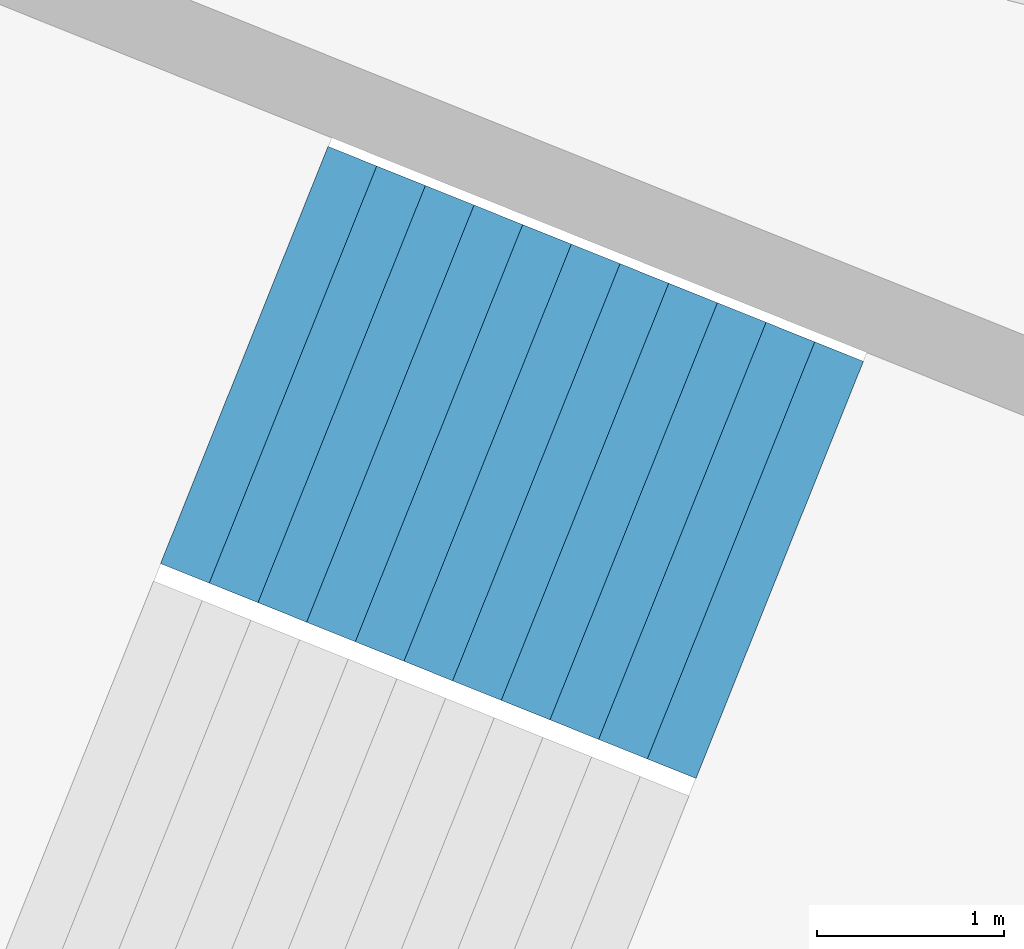
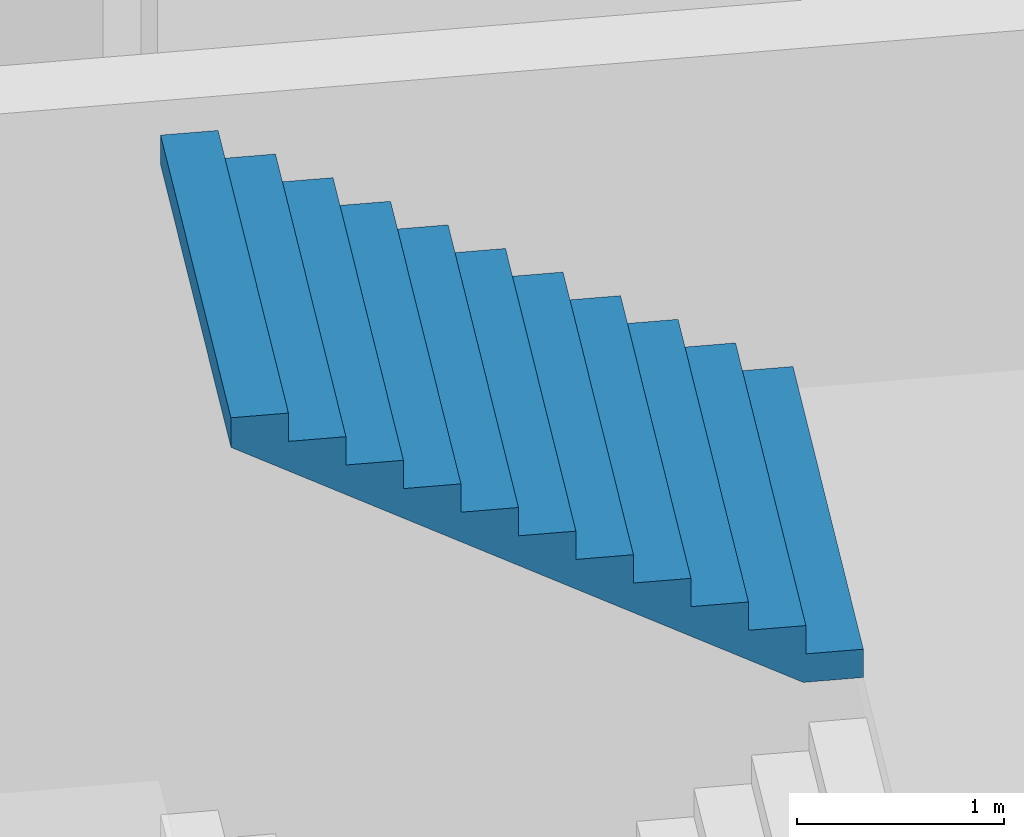
# One storey, part 53 of 74: 1 stair flight, 1 element without a shape of its own.
"""IFC4 building model written with IfcOpenShell, lengths in metres."""

from ifc_helpers import new_model, si_unit, direction, frame, origin, place, context, subcontext, project, spatial, triangles, material, type_object, element, aggregate, save


model = new_model("IFC4")

# Units and contexts
model_context = context("Model", 3, precision=1e-05, world=origin(), true_north=direction((0.0, 1.0)))
body_context = subcontext(model_context, "Body", "Model", "MODEL_VIEW")
ifc_project = project(units=[si_unit("LENGTHUNIT", "METRE"), si_unit("AREAUNIT", "SQUARE_METRE"), si_unit("VOLUMEUNIT", "CUBIC_METRE"), si_unit("PLANEANGLEUNIT", "RADIAN"), si_unit("MASSUNIT", "GRAM", prefix="KILO")], contexts=[model_context])

# Site, building, storey
site_placement = place(None, origin())
site = spatial("IfcSite", under=ifc_project, at=site_placement, CompositionType="ELEMENT")
building_placement = place(site_placement, origin())
building = spatial("IfcBuilding", under=site, at=building_placement, Name="Lantaw Convention Tower", CompositionType="ELEMENT")
storey_placement = place(building_placement, frame((0.0, 0.0, 6.5)))
storey = spatial("IfcBuildingStorey", under=building, at=storey_placement, Name="L01", CompositionType="ELEMENT", Elevation=6.5)

# Stair, stair flight
ifc_material = material(Name="Concrete C35/45", Category="concrete")
stair_type = type_object("IfcStairType", Name="Exit stair 2400 riser 166.67 in 4 flights", PredefinedType="HALF_TURN_STAIR", material=ifc_material)
stair_placement = place(storey_placement, origin())
stair = element("IfcStair", 1, at=stair_placement, inside=storey, type_object=stair_type, Name="Podium exit stair P12 L01", PredefinedType="HALF_TURN_STAIR")
stair_flight_type = type_object("IfcStairFlightType", Name="Stair flight 2400 riser 166.67", PredefinedType="STRAIGHT", material=ifc_material)
stair_flight_placement = place(storey_placement, frame((32.8759765625, -11.850830078125, 6.0), z_axis=(0.0, 0.0, 1.0), x_axis=(-0.928015818512, 0.372540790506, 0.0)))
stair_flight = element("IfcStairFlight", 2, at=stair_flight_placement, type_object=stair_flight_type, Name="P12 flight 4", NumberOfRisers=12, NumberOfTreads=11, PredefinedType="STRAIGHT", RiserHeight=0.166666667, TreadLength=0.28, context=body_context, shape_type="Tessellation", body=[
    triangles([(0.0, 1.199951171875, 0.0), (0.0, 1.199951171875, 0.166666667), (0.28, 1.199951171875, 0.0), (0.28, 1.199951171875, 0.166666667), (0.28, 1.199951171875, 0.333333334), (0.29307345806906726, 1.199951171875, 0.0), (0.29307345806906726, 1.199951171875, 0.333333334), (0.56, 1.199951171875, 0.15888484670522965), (0.56, 1.199951171875, 0.333333334), (0.56, 1.199951171875, 0.500000001), (0.8400000000000001, 1.199951171875, 0.3255515137052296), (0.8400000000000001, 1.199951171875, 0.500000001), (0.8400000000000001, 1.199951171875, 0.666666668), (1.12, 1.199951171875, 0.4922181807052296), (1.12, 1.199951171875, 0.666666668), (1.12, 1.199951171875, 0.833333335), (1.4000000000000001, 1.199951171875, 0.6588848477052296), (1.4000000000000001, 1.199951171875, 0.833333335), (1.4000000000000001, 1.199951171875, 1.000000002), (1.6800000000000002, 1.199951171875, 0.8255515147052296), (1.6800000000000002, 1.199951171875, 1.000000002), (1.6800000000000002, 1.199951171875, 1.166666669), (1.9600000000000002, 1.199951171875, 0.9922181817052296), (1.9600000000000002, 1.199951171875, 1.166666669), (1.9600000000000002, 1.199951171875, 1.333333336), (2.24, 1.199951171875, 1.1588848487052295), (2.24, 1.199951171875, 1.333333336), (2.24, 1.199951171875, 1.5000000029999998), (2.5200000000000005, 1.199951171875, 1.3255515157052296), (2.5200000000000005, 1.199951171875, 1.5000000029999998), (2.5200000000000005, 1.199951171875, 1.66666667), (2.8000000000000003, 1.199951171875, 1.4922181827052294), (2.8000000000000003, 1.199951171875, 1.66666667), (2.8000000000000003, 1.199951171875, 1.833333337), (3.08, 1.199951171875, 1.6588848497052293), (3.08, 1.199951171875, 1.833333337), (0.0, -1.199951171875, 0.0), (0.0, -1.199951171875, 0.166666667), (0.28, -1.199951171875, 0.0), (0.28, -1.199951171875, 0.166666667), (0.28, -1.199951171875, 0.333333334), (0.29307345806906726, -1.199951171875, 0.0), (0.29307345806906726, -1.199951171875, 0.333333334), (0.56, -1.199951171875, 0.15888484670522965), (0.56, -1.199951171875, 0.333333334), (0.56, -1.199951171875, 0.500000001), (0.8400000000000001, -1.199951171875, 0.3255515137052296), (0.8400000000000001, -1.199951171875, 0.500000001), (0.8400000000000001, -1.199951171875, 0.666666668), (1.12, -1.199951171875, 0.4922181807052296), (1.12, -1.199951171875, 0.666666668), (1.12, -1.199951171875, 0.833333335), (1.4000000000000001, -1.199951171875, 0.6588848477052296), (1.4000000000000001, -1.199951171875, 0.833333335), (1.4000000000000001, -1.199951171875, 1.000000002), (1.6800000000000002, -1.199951171875, 0.8255515147052296), (1.6800000000000002, -1.199951171875, 1.000000002), (1.6800000000000002, -1.199951171875, 1.166666669), (1.9600000000000002, -1.199951171875, 0.9922181817052296), (1.9600000000000002, -1.199951171875, 1.166666669), (1.9600000000000002, -1.199951171875, 1.333333336), (2.24, -1.199951171875, 1.1588848487052295), (2.24, -1.199951171875, 1.333333336), (2.24, -1.199951171875, 1.5000000029999998), (2.5200000000000005, -1.199951171875, 1.3255515157052296), (2.5200000000000005, -1.199951171875, 1.5000000029999998), (2.5200000000000005, -1.199951171875, 1.66666667), (2.8000000000000003, -1.199951171875, 1.4922181827052294), (2.8000000000000003, -1.199951171875, 1.66666667), (2.8000000000000003, -1.199951171875, 1.833333337), (3.08, -1.199951171875, 1.6588848497052293), (3.08, -1.199951171875, 1.833333337), (0.0, 0.239990234375, 0.166666667), (0.0, 0.239990234375, 0.0), (0.0, 0.1199951171875, 0.166666667), (0.0, 0.1199951171875, 0.0), (0.0, 0.0, 0.166666667), (0.0, 0.0, 0.0), (0.0, -0.1199951171875, 0.166666667), (0.0, -0.1199951171875, 0.0), (0.0, -0.239990234375, 0.166666667), (0.0, -0.239990234375, 0.0), (0.28, 0.239990234375, 0.333333334), (0.28, 0.239990234375, 0.166666667), (0.28, 0.1199951171875, 0.333333334), (0.28, 0.1199951171875, 0.166666667), (0.28, 0.0, 0.333333334), (0.28, 0.0, 0.166666667), (0.28, -0.1199951171875, 0.333333334), (0.28, -0.1199951171875, 0.166666667), (0.28, -0.239990234375, 0.333333334), (0.28, -0.239990234375, 0.166666667), (0.56, 0.239990234375, 0.500000001), (0.56, 0.239990234375, 0.333333334), (0.56, 0.1199951171875, 0.500000001), (0.56, 0.1199951171875, 0.333333334), (0.56, 0.0, 0.500000001), (0.56, 0.0, 0.333333334), (0.56, -0.1199951171875, 0.500000001), (0.56, -0.1199951171875, 0.333333334), (0.56, -0.239990234375, 0.500000001), (0.56, -0.239990234375, 0.333333334), (0.8400000000000001, 0.239990234375, 0.666666668), (0.8400000000000001, 0.239990234375, 0.500000001), (0.8400000000000001, 0.1199951171875, 0.666666668), (0.8400000000000001, 0.1199951171875, 0.500000001), (0.8400000000000001, 0.0, 0.666666668), (0.8400000000000001, 0.0, 0.500000001), (0.8400000000000001, -0.1199951171875, 0.666666668), (0.8400000000000001, -0.1199951171875, 0.500000001), (0.8400000000000001, -0.239990234375, 0.666666668), (0.8400000000000001, -0.239990234375, 0.500000001), (1.12, 0.239990234375, 0.833333335), (1.12, 0.239990234375, 0.666666668), (1.12, 0.1199951171875, 0.833333335), (1.12, 0.1199951171875, 0.666666668), (1.12, 0.0, 0.833333335), (1.12, 0.0, 0.666666668), (1.12, -0.1199951171875, 0.833333335), (1.12, -0.1199951171875, 0.666666668), (1.12, -0.239990234375, 0.833333335), (1.12, -0.239990234375, 0.666666668), (1.4000000000000001, 0.239990234375, 1.000000002), (1.4000000000000001, 0.239990234375, 0.833333335), (1.4000000000000001, 0.1199951171875, 1.000000002), (1.4000000000000001, 0.1199951171875, 0.833333335), (1.4000000000000001, 0.0, 1.000000002), (1.4000000000000001, 0.0, 0.833333335), (1.4000000000000001, -0.1199951171875, 1.000000002), (1.4000000000000001, -0.1199951171875, 0.833333335), (1.4000000000000001, -0.239990234375, 1.000000002), (1.4000000000000001, -0.239990234375, 0.833333335), (1.6800000000000002, 0.239990234375, 1.166666669), (1.6800000000000002, 0.239990234375, 1.000000002), (1.6800000000000002, 0.1199951171875, 1.166666669), (1.6800000000000002, 0.1199951171875, 1.000000002), (1.6800000000000002, 0.0, 1.166666669), (1.6800000000000002, 0.0, 1.000000002), (1.6800000000000002, -0.1199951171875, 1.166666669), (1.6800000000000002, -0.1199951171875, 1.000000002), (1.6800000000000002, -0.239990234375, 1.166666669), (1.6800000000000002, -0.239990234375, 1.000000002), (1.9600000000000002, 0.239990234375, 1.333333336), (1.9600000000000002, 0.239990234375, 1.166666669), (1.9600000000000002, 0.1199951171875, 1.333333336), (1.9600000000000002, 0.1199951171875, 1.166666669), (1.9600000000000002, 0.0, 1.333333336), (1.9600000000000002, 0.0, 1.166666669), (1.9600000000000002, -0.1199951171875, 1.333333336), (1.9600000000000002, -0.1199951171875, 1.166666669), (1.9600000000000002, -0.239990234375, 1.333333336), (1.9600000000000002, -0.239990234375, 1.166666669), (2.24, 0.239990234375, 1.5000000029999998), (2.24, 0.239990234375, 1.333333336), (2.24, 0.1199951171875, 1.5000000029999998), (2.24, 0.1199951171875, 1.333333336), (2.24, 0.0, 1.5000000029999998), (2.24, 0.0, 1.333333336), (2.24, -0.1199951171875, 1.5000000029999998), (2.24, -0.1199951171875, 1.333333336), (2.24, -0.239990234375, 1.5000000029999998), (2.24, -0.239990234375, 1.333333336), (2.5200000000000005, 0.239990234375, 1.66666667), (2.5200000000000005, 0.239990234375, 1.5000000029999998), (2.5200000000000005, 0.1199951171875, 1.66666667), (2.5200000000000005, 0.1199951171875, 1.5000000029999998), (2.5200000000000005, 0.0, 1.66666667), (2.5200000000000005, 0.0, 1.5000000029999998), (2.5200000000000005, -0.1199951171875, 1.66666667), (2.5200000000000005, -0.1199951171875, 1.5000000029999998), (2.5200000000000005, -0.239990234375, 1.66666667), (2.5200000000000005, -0.239990234375, 1.5000000029999998), (2.8000000000000003, 0.239990234375, 1.833333337), (2.8000000000000003, 0.239990234375, 1.66666667), (2.8000000000000003, 0.1199951171875, 1.833333337), (2.8000000000000003, 0.1199951171875, 1.66666667), (2.8000000000000003, 0.0, 1.833333337), (2.8000000000000003, 0.0, 1.66666667), (2.8000000000000003, -0.1199951171875, 1.833333337), (2.8000000000000003, -0.1199951171875, 1.66666667), (2.8000000000000003, -0.239990234375, 1.833333337), (2.8000000000000003, -0.239990234375, 1.66666667), (0.29307345806906726, 0.239990234375, 0.333333334), (0.29307345806906726, 0.1199951171875, 0.333333334), (0.29307345806906726, 0.0, 0.333333334), (0.29307345806906726, -0.1199951171875, 0.333333334), (0.29307345806906726, -0.239990234375, 0.333333334), (3.08, 0.239990234375, 1.833333337), (3.08, 0.1199951171875, 1.833333337), (3.08, 0.0, 1.833333337), (3.08, -0.1199951171875, 1.833333337), (3.08, -0.239990234375, 1.833333337), (3.08, 0.239990234375, 1.6588848497052293), (3.08, 0.1199951171875, 1.6588848497052293), (3.08, 0.0, 1.6588848497052293), (3.08, -0.1199951171875, 1.6588848497052293), (3.08, -0.239990234375, 1.6588848497052293), (2.8000000000000003, 0.239990234375, 1.4922181827052294), (2.8000000000000003, 0.1199951171875, 1.4922181827052294), (2.8000000000000003, 0.0, 1.4922181827052294), (2.8000000000000003, -0.1199951171875, 1.4922181827052294), (2.8000000000000003, -0.239990234375, 1.4922181827052294), (2.5200000000000005, 0.239990234375, 1.3255515157052296), (2.5200000000000005, 0.1199951171875, 1.3255515157052296), (2.5200000000000005, 0.0, 1.3255515157052296), (2.5200000000000005, -0.1199951171875, 1.3255515157052296), (2.5200000000000005, -0.239990234375, 1.3255515157052296), (2.24, 0.239990234375, 1.1588848487052295), (2.24, 0.1199951171875, 1.1588848487052295), (2.24, 0.0, 1.1588848487052295), (2.24, -0.1199951171875, 1.1588848487052295), (2.24, -0.239990234375, 1.1588848487052295), (1.9600000000000002, 0.239990234375, 0.9922181817052296), (1.9600000000000002, 0.1199951171875, 0.9922181817052296), (1.9600000000000002, 0.0, 0.9922181817052296), (1.9600000000000002, -0.1199951171875, 0.9922181817052296), (1.9600000000000002, -0.239990234375, 0.9922181817052296), (1.6800000000000002, 0.239990234375, 0.8255515147052296), (1.6800000000000002, 0.1199951171875, 0.8255515147052296), (1.6800000000000002, 0.0, 0.8255515147052296), (1.6800000000000002, -0.1199951171875, 0.8255515147052296), (1.6800000000000002, -0.239990234375, 0.8255515147052296), (1.4000000000000001, 0.239990234375, 0.6588848477052296), (1.4000000000000001, 0.1199951171875, 0.6588848477052296), (1.4000000000000001, 0.0, 0.6588848477052296), (1.4000000000000001, -0.1199951171875, 0.6588848477052296), (1.4000000000000001, -0.239990234375, 0.6588848477052296), (1.12, 0.239990234375, 0.4922181807052296), (1.12, 0.1199951171875, 0.4922181807052296), (1.12, 0.0, 0.4922181807052296), (1.12, -0.1199951171875, 0.4922181807052296), (1.12, -0.239990234375, 0.4922181807052296), (0.8400000000000001, 0.239990234375, 0.3255515137052296), (0.8400000000000001, 0.1199951171875, 0.3255515137052296), (0.8400000000000001, 0.0, 0.3255515137052296), (0.8400000000000001, -0.1199951171875, 0.3255515137052296), (0.8400000000000001, -0.239990234375, 0.3255515137052296), (0.56, 0.239990234375, 0.15888484670522965), (0.56, 0.1199951171875, 0.15888484670522965), (0.56, 0.0, 0.15888484670522965), (0.56, -0.1199951171875, 0.15888484670522965), (0.56, -0.239990234375, 0.15888484670522965), (0.29307345806906726, 0.239990234375, 0.0), (0.29307345806906726, 0.1199951171875, 0.0), (0.29307345806906726, 0.0, 0.0), (0.29307345806906726, -0.1199951171875, 0.0), (0.29307345806906726, -0.239990234375, 0.0), (0.28, 0.239990234375, 0.0), (0.28, 0.1199951171875, 0.0), (0.28, 0.0, 0.0), (0.28, -0.1199951171875, 0.0), (0.28, -0.239990234375, 0.0)], [[1, 4, 3], [1, 2, 4], [3, 4, 6], [4, 7, 6], [4, 5, 7], [6, 9, 8], [6, 7, 9], [8, 9, 11], [9, 12, 11], [9, 10, 12], [11, 12, 14], [12, 15, 14], [12, 13, 15], [14, 15, 17], [15, 18, 17], [15, 16, 18], [17, 18, 20], [18, 21, 20], [18, 19, 21], [20, 21, 23], [21, 24, 23], [21, 22, 24], [23, 24, 26], [24, 27, 26], [24, 25, 27], [26, 27, 29], [27, 30, 29], [27, 28, 30], [29, 30, 32], [30, 33, 32], [30, 31, 33], [32, 33, 35], [33, 36, 35], [33, 34, 36], [37, 39, 40], [37, 40, 38], [39, 42, 40], [40, 42, 43], [40, 43, 41], [42, 44, 45], [42, 45, 43], [44, 47, 45], [45, 47, 48], [45, 48, 46], [47, 50, 48], [48, 50, 51], [48, 51, 49], [50, 53, 51], [51, 53, 54], [51, 54, 52], [53, 56, 54], [54, 56, 57], [54, 57, 55], [56, 59, 57], [57, 59, 60], [57, 60, 58], [59, 62, 60], [60, 62, 63], [60, 63, 61], [62, 65, 63], [63, 65, 66], [63, 66, 64], [65, 68, 66], [66, 68, 69], [66, 69, 67], [68, 71, 69], [69, 71, 72], [69, 72, 70], [1, 73, 2], [1, 74, 73], [74, 75, 73], [74, 76, 75], [76, 77, 75], [76, 78, 77], [78, 79, 77], [78, 80, 79], [80, 81, 79], [80, 82, 81], [82, 38, 81], [82, 37, 38], [4, 83, 5], [4, 84, 83], [84, 85, 83], [84, 86, 85], [86, 87, 85], [86, 88, 87], [88, 89, 87], [88, 90, 89], [90, 91, 89], [90, 92, 91], [92, 41, 91], [92, 40, 41], [9, 93, 10], [9, 94, 93], [94, 95, 93], [94, 96, 95], [96, 97, 95], [96, 98, 97], [98, 99, 97], [98, 100, 99], [100, 101, 99], [100, 102, 101], [102, 46, 101], [102, 45, 46], [12, 103, 13], [12, 104, 103], [104, 105, 103], [104, 106, 105], [106, 107, 105], [106, 108, 107], [108, 109, 107], [108, 110, 109], [110, 111, 109], [110, 112, 111], [112, 49, 111], [112, 48, 49], [15, 113, 16], [15, 114, 113], [114, 115, 113], [114, 116, 115], [116, 117, 115], [116, 118, 117], [118, 119, 117], [118, 120, 119], [120, 121, 119], [120, 122, 121], [122, 52, 121], [122, 51, 52], [18, 123, 19], [18, 124, 123], [124, 125, 123], [124, 126, 125], [126, 127, 125], [126, 128, 127], [128, 129, 127], [128, 130, 129], [130, 131, 129], [130, 132, 131], [132, 55, 131], [132, 54, 55], [21, 133, 22], [21, 134, 133], [134, 135, 133], [134, 136, 135], [136, 137, 135], [136, 138, 137], [138, 139, 137], [138, 140, 139], [140, 141, 139], [140, 142, 141], [142, 58, 141], [142, 57, 58], [24, 143, 25], [24, 144, 143], [144, 145, 143], [144, 146, 145], [146, 147, 145], [146, 148, 147], [148, 149, 147], [148, 150, 149], [150, 151, 149], [150, 152, 151], [152, 61, 151], [152, 60, 61], [27, 153, 28], [27, 154, 153], [154, 155, 153], [154, 156, 155], [156, 157, 155], [156, 158, 157], [158, 159, 157], [158, 160, 159], [160, 161, 159], [160, 162, 161], [162, 64, 161], [162, 63, 64], [30, 163, 31], [30, 164, 163], [164, 165, 163], [164, 166, 165], [166, 167, 165], [166, 168, 167], [168, 169, 167], [168, 170, 169], [170, 171, 169], [170, 172, 171], [172, 67, 171], [172, 66, 67], [33, 173, 34], [33, 174, 173], [174, 175, 173], [174, 176, 175], [176, 177, 175], [176, 178, 177], [178, 179, 177], [178, 180, 179], [180, 181, 179], [180, 182, 181], [182, 70, 181], [182, 69, 70], [2, 84, 4], [2, 73, 84], [73, 86, 84], [73, 75, 86], [75, 88, 86], [75, 77, 88], [77, 90, 88], [77, 79, 90], [79, 92, 90], [79, 81, 92], [81, 40, 92], [81, 38, 40], [5, 183, 7], [5, 83, 183], [83, 184, 183], [83, 85, 184], [85, 185, 184], [85, 87, 185], [87, 186, 185], [87, 89, 186], [89, 187, 186], [89, 91, 187], [91, 43, 187], [91, 41, 43], [7, 94, 9], [7, 183, 94], [183, 96, 94], [183, 184, 96], [184, 98, 96], [184, 185, 98], [185, 100, 98], [185, 186, 100], [186, 102, 100], [186, 187, 102], [187, 45, 102], [187, 43, 45], [10, 104, 12], [10, 93, 104], [93, 106, 104], [93, 95, 106], [95, 108, 106], [95, 97, 108], [97, 110, 108], [97, 99, 110], [99, 112, 110], [99, 101, 112], [101, 48, 112], [101, 46, 48], [13, 114, 15], [13, 103, 114], [103, 116, 114], [103, 105, 116], [105, 118, 116], [105, 107, 118], [107, 120, 118], [107, 109, 120], [109, 122, 120], [109, 111, 122], [111, 51, 122], [111, 49, 51], [16, 124, 18], [16, 113, 124], [113, 126, 124], [113, 115, 126], [115, 128, 126], [115, 117, 128], [117, 130, 128], [117, 119, 130], [119, 132, 130], [119, 121, 132], [121, 54, 132], [121, 52, 54], [19, 134, 21], [19, 123, 134], [123, 136, 134], [123, 125, 136], [125, 138, 136], [125, 127, 138], [127, 140, 138], [127, 129, 140], [129, 142, 140], [129, 131, 142], [131, 57, 142], [131, 55, 57], [22, 144, 24], [22, 133, 144], [133, 146, 144], [133, 135, 146], [135, 148, 146], [135, 137, 148], [137, 150, 148], [137, 139, 150], [139, 152, 150], [139, 141, 152], [141, 60, 152], [141, 58, 60], [25, 154, 27], [25, 143, 154], [143, 156, 154], [143, 145, 156], [145, 158, 156], [145, 147, 158], [147, 160, 158], [147, 149, 160], [149, 162, 160], [149, 151, 162], [151, 63, 162], [151, 61, 63], [28, 164, 30], [28, 153, 164], [153, 166, 164], [153, 155, 166], [155, 168, 166], [155, 157, 168], [157, 170, 168], [157, 159, 170], [159, 172, 170], [159, 161, 172], [161, 66, 172], [161, 64, 66], [31, 174, 33], [31, 163, 174], [163, 176, 174], [163, 165, 176], [165, 178, 176], [165, 167, 178], [167, 180, 178], [167, 169, 180], [169, 182, 180], [169, 171, 182], [171, 69, 182], [171, 67, 69], [34, 188, 36], [34, 173, 188], [173, 189, 188], [173, 175, 189], [175, 190, 189], [175, 177, 190], [177, 191, 190], [177, 179, 191], [179, 192, 191], [179, 181, 192], [181, 72, 192], [181, 70, 72], [36, 193, 35], [36, 188, 193], [188, 194, 193], [188, 189, 194], [189, 195, 194], [189, 190, 195], [190, 196, 195], [190, 191, 196], [191, 197, 196], [191, 192, 197], [192, 71, 197], [192, 72, 71], [35, 198, 32], [35, 193, 198], [193, 199, 198], [193, 194, 199], [194, 200, 199], [194, 195, 200], [195, 201, 200], [195, 196, 201], [196, 202, 201], [196, 197, 202], [197, 68, 202], [197, 71, 68], [32, 203, 29], [32, 198, 203], [198, 204, 203], [198, 199, 204], [199, 205, 204], [199, 200, 205], [200, 206, 205], [200, 201, 206], [201, 207, 206], [201, 202, 207], [202, 65, 207], [202, 68, 65], [29, 208, 26], [29, 203, 208], [203, 209, 208], [203, 204, 209], [204, 210, 209], [204, 205, 210], [205, 211, 210], [205, 206, 211], [206, 212, 211], [206, 207, 212], [207, 62, 212], [207, 65, 62], [26, 213, 23], [26, 208, 213], [208, 214, 213], [208, 209, 214], [209, 215, 214], [209, 210, 215], [210, 216, 215], [210, 211, 216], [211, 217, 216], [211, 212, 217], [212, 59, 217], [212, 62, 59], [23, 218, 20], [23, 213, 218], [213, 219, 218], [213, 214, 219], [214, 220, 219], [214, 215, 220], [215, 221, 220], [215, 216, 221], [216, 222, 221], [216, 217, 222], [217, 56, 222], [217, 59, 56], [20, 223, 17], [20, 218, 223], [218, 224, 223], [218, 219, 224], [219, 225, 224], [219, 220, 225], [220, 226, 225], [220, 221, 226], [221, 227, 226], [221, 222, 227], [222, 53, 227], [222, 56, 53], [17, 228, 14], [17, 223, 228], [223, 229, 228], [223, 224, 229], [224, 230, 229], [224, 225, 230], [225, 231, 230], [225, 226, 231], [226, 232, 231], [226, 227, 232], [227, 50, 232], [227, 53, 50], [14, 233, 11], [14, 228, 233], [228, 234, 233], [228, 229, 234], [229, 235, 234], [229, 230, 235], [230, 236, 235], [230, 231, 236], [231, 237, 236], [231, 232, 237], [232, 47, 237], [232, 50, 47], [11, 238, 8], [11, 233, 238], [233, 239, 238], [233, 234, 239], [234, 240, 239], [234, 235, 240], [235, 241, 240], [235, 236, 241], [236, 242, 241], [236, 237, 242], [237, 44, 242], [237, 47, 44], [8, 243, 6], [8, 238, 243], [238, 244, 243], [238, 239, 244], [239, 245, 244], [239, 240, 245], [240, 246, 245], [240, 241, 246], [241, 247, 246], [241, 242, 247], [242, 42, 247], [242, 44, 42], [6, 248, 3], [6, 243, 248], [243, 249, 248], [243, 244, 249], [244, 250, 249], [244, 245, 250], [245, 251, 250], [245, 246, 251], [246, 252, 251], [246, 247, 252], [247, 39, 252], [247, 42, 39], [3, 74, 1], [3, 248, 74], [248, 76, 74], [248, 249, 76], [249, 78, 76], [249, 250, 78], [250, 80, 78], [250, 251, 80], [251, 82, 80], [251, 252, 82], [252, 37, 82], [252, 39, 37]], closed=True),
])
aggregate(stair, [stair_flight])

save(model, "model.ifc")
